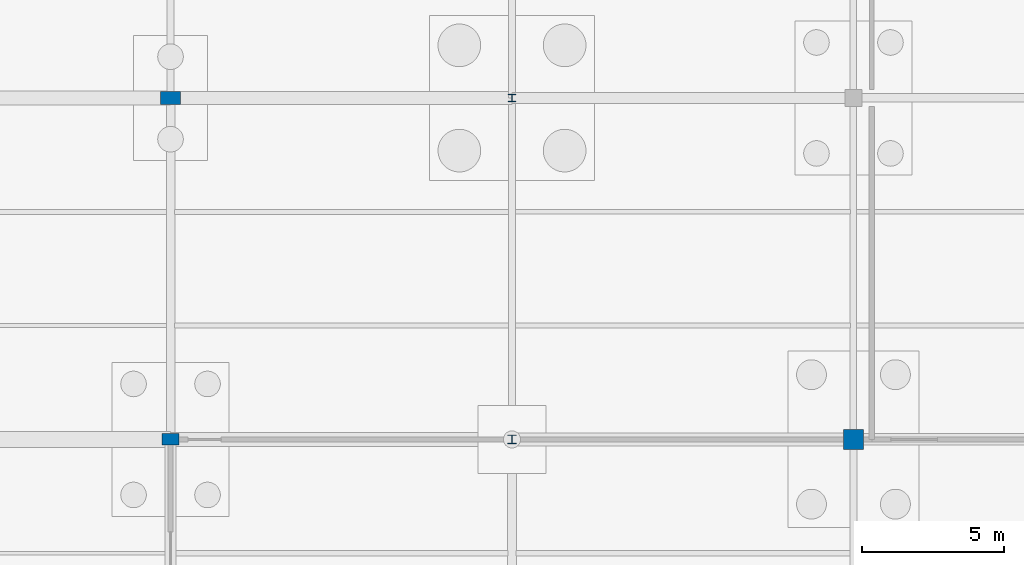
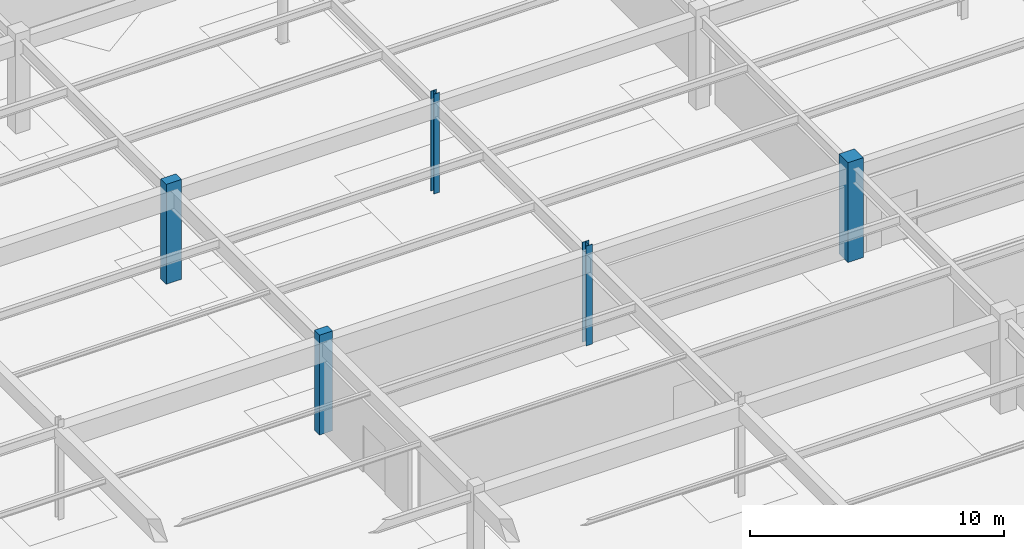
# One storey, part 34 of 136: 5 columns.
"""IFC4 building model written with IfcOpenShell, lengths in metres."""

from ifc_helpers import new_model, si_unit, direction, frame, origin, origin_2d, place, context, subcontext, project, spatial, rectangle, i_section, extrude, material, material_profile, profile_set, type_object, element, save


model = new_model("IFC4")

# Units and contexts
model_context = context("Model", 3, precision=1e-05, world=origin(), true_north=direction((0.0, 1.0)))
body_context = subcontext(model_context, "Body", "Model", "MODEL_VIEW")
ifc_project = project(units=[si_unit("LENGTHUNIT", "METRE"), si_unit("AREAUNIT", "SQUARE_METRE"), si_unit("VOLUMEUNIT", "CUBIC_METRE"), si_unit("PLANEANGLEUNIT", "RADIAN"), si_unit("MASSUNIT", "GRAM", prefix="KILO")], contexts=[model_context])

# Site, building, storey
site_placement = place(None, origin())
site = spatial("IfcSite", under=ifc_project, at=site_placement, CompositionType="ELEMENT")
building_placement = place(site_placement, origin())
building = spatial("IfcBuilding", under=site, at=building_placement, Name="Tarnwether General Hospital", CompositionType="ELEMENT")
storey_placement = place(building_placement, frame((0.0, 0.0, -4.800048828125)))
storey = spatial("IfcBuildingStorey", under=building, at=storey_placement, Name="LG", CompositionType="ELEMENT", Elevation=-4.800048828125)

# Columns
ifc_material_1 = material(Name="Steel Grade 350 (350 MPa)", Category="steel")
ifc_material_profile_1 = material_profile(ifc_material_1, i_section(OverallWidth=0.304931640625, OverallDepth=0.30810546875, WebThickness=0.010009765625, FlangeThickness=0.015380859375, at=origin_2d()), Name="310UC96.8")
ifc_profile_set_1 = profile_set([ifc_material_profile_1], Name="Steel Grade 350 (350 MPa)")
column_type_1 = type_object("IfcColumnType", Name="COL-08", PredefinedType="COLUMN", material=ifc_profile_set_1)
column_1_placement = place(storey_placement, frame((72.0, 69.60009765625, 0.0), z_axis=(0.0, 0.0, 1.0), x_axis=(1.0, 0.0, 0.0)))
element("IfcColumn", 1, at=column_1_placement, inside=storey, type_object=column_type_1, Name="Column COLG-LG-7200_6960", PredefinedType="COLUMN", context=body_context, shape_type="SweptSolid", body=[
    extrude(i_section(OverallWidth=0.304931640625, OverallDepth=0.30810546875, WebThickness=0.010009765625, FlangeThickness=0.015380859375, at=origin_2d()), origin(), (0.0, 0.0, 1.0), 4.800048828125),
])
ifc_material_2 = material(Name="Steel Grade 350 (350 MPa)", Category="steel")
ifc_material_profile_2 = material_profile(ifc_material_2, i_section(OverallWidth=0.256103515625, OverallDepth=0.260009765625, WebThickness=0.010498046875, FlangeThickness=0.017333984375, at=origin_2d()), Name="250UC89.5")
ifc_profile_set_2 = profile_set([ifc_material_profile_2], Name="Steel Grade 350 (350 MPa)")
column_type_2 = type_object("IfcColumnType", Name="COL-09", PredefinedType="COLUMN", material=ifc_profile_set_2)
column_2_placement = place(storey_placement, frame((72.0, 81.60009765625, 0.0), z_axis=(0.0, 0.0, 1.0), x_axis=(1.0, 0.0, 0.0)))
element("IfcColumn", 2, at=column_2_placement, inside=storey, type_object=column_type_2, Name="Column COLG-LG-7200_8160", PredefinedType="COLUMN", context=body_context, shape_type="SweptSolid", body=[
    extrude(i_section(OverallWidth=0.256103515625, OverallDepth=0.260009765625, WebThickness=0.010498046875, FlangeThickness=0.017333984375, at=origin_2d()), origin(), (0.0, 0.0, 1.0), 4.800048828125),
])
ifc_material_3 = material(Name="Concrete 50 MPa", Category="concrete")
ifc_material_profile_3 = material_profile(ifc_material_3, rectangle(XDim=0.699951171875, YDim=0.699951171875, at=origin_2d()), Name="RC-COL-700x700")
ifc_profile_set_3 = profile_set([ifc_material_profile_3], Name="Concrete 50 MPa")
column_type_3 = type_object("IfcColumnType", Name="COL-18", PredefinedType="COLUMN", material=ifc_profile_set_3)
column_3_placement = place(storey_placement, frame((84.0, 69.60009765625, 0.0), z_axis=(0.0, 0.0, 1.0), x_axis=(0.0, 1.0, 0.0)))
element("IfcColumn", 3, at=column_3_placement, inside=storey, type_object=column_type_3, Name="Column COLG-LG-8400_6960", PredefinedType="COLUMN", context=body_context, shape_type="SweptSolid", body=[
    extrude(rectangle(XDim=0.699951171875, YDim=0.699951171875, at=origin_2d()), origin(), (0.0, 0.0, 1.0), 4.800048828125),
])
ifc_material_4 = material(Name="Concrete 50 MPa", Category="concrete")
ifc_material_profile_4 = material_profile(ifc_material_4, rectangle(XDim=0.39990234375, YDim=0.60009765625, at=origin_2d()), Name="RC-PIL-400x600")
ifc_profile_set_4 = profile_set([ifc_material_profile_4], Name="Concrete 50 MPa")
column_type_4 = type_object("IfcColumnType", Name="COL-21", PredefinedType="PILASTER", material=ifc_profile_set_4)
column_4_placement = place(storey_placement, frame((60.0, 69.60009765625, 0.0), z_axis=(0.0, 0.0, 1.0), x_axis=(0.0, 1.0, 0.0)))
element("IfcColumn", 4, at=column_4_placement, inside=storey, type_object=column_type_4, Name="Column COLG-LG-6000_6960", PredefinedType="PILASTER", context=body_context, shape_type="SweptSolid", body=[
    extrude(rectangle(XDim=0.39990234375, YDim=0.60009765625, at=origin_2d()), origin(), (0.0, 0.0, 1.0), 4.800048828125),
])
ifc_material_5 = material(Name="Concrete 50 MPa", Category="concrete")
ifc_material_profile_5 = material_profile(ifc_material_5, rectangle(XDim=0.449951171875, YDim=0.699951171875, at=origin_2d()), Name="RC-PIL-450x700")
ifc_profile_set_5 = profile_set([ifc_material_profile_5], Name="Concrete 50 MPa")
column_type_5 = type_object("IfcColumnType", Name="COL-22", PredefinedType="PILASTER", material=ifc_profile_set_5)
column_5_placement = place(storey_placement, frame((60.0, 81.60009765625, 0.0), z_axis=(0.0, 0.0, 1.0), x_axis=(0.0, 1.0, 0.0)))
element("IfcColumn", 5, at=column_5_placement, inside=storey, type_object=column_type_5, Name="Column COLG-LG-6000_8160", PredefinedType="PILASTER", context=body_context, shape_type="SweptSolid", body=[
    extrude(rectangle(XDim=0.449951171875, YDim=0.699951171875, at=origin_2d()), origin(), (0.0, 0.0, 1.0), 4.800048828125),
])

save(model, "model.ifc")
